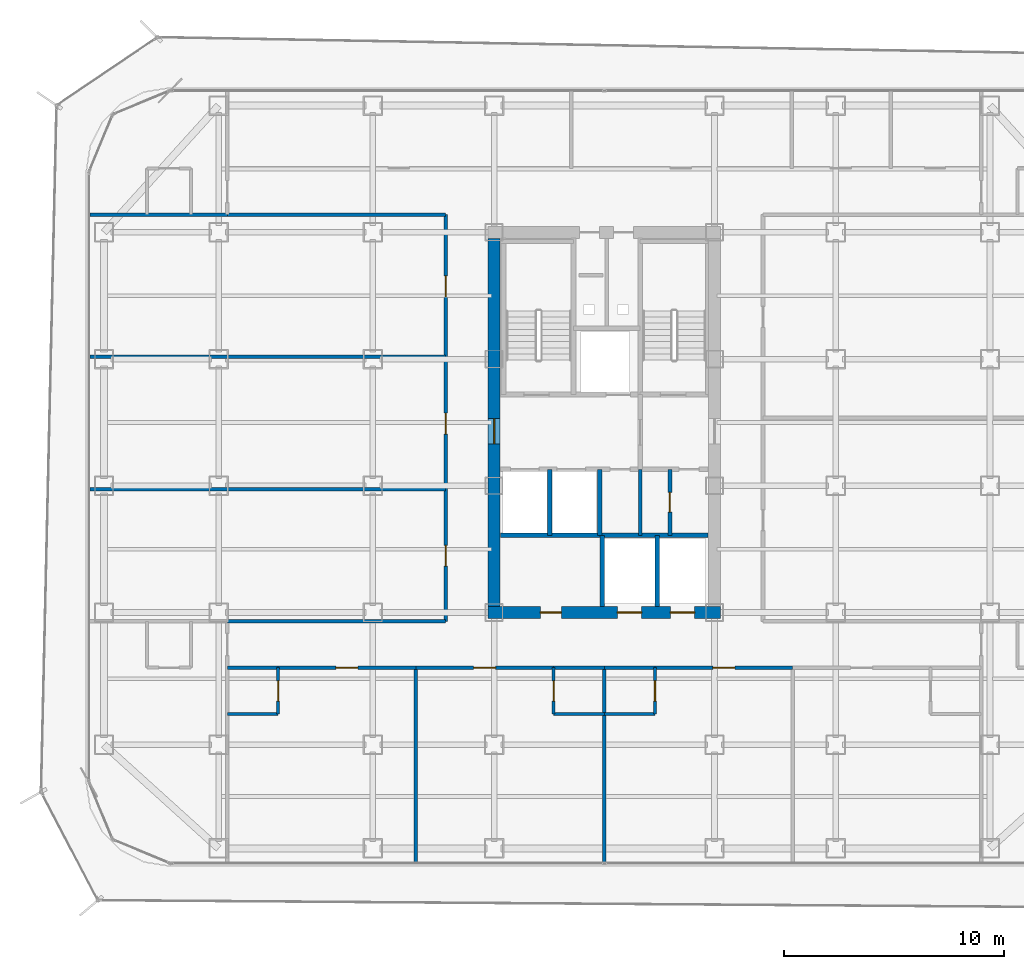
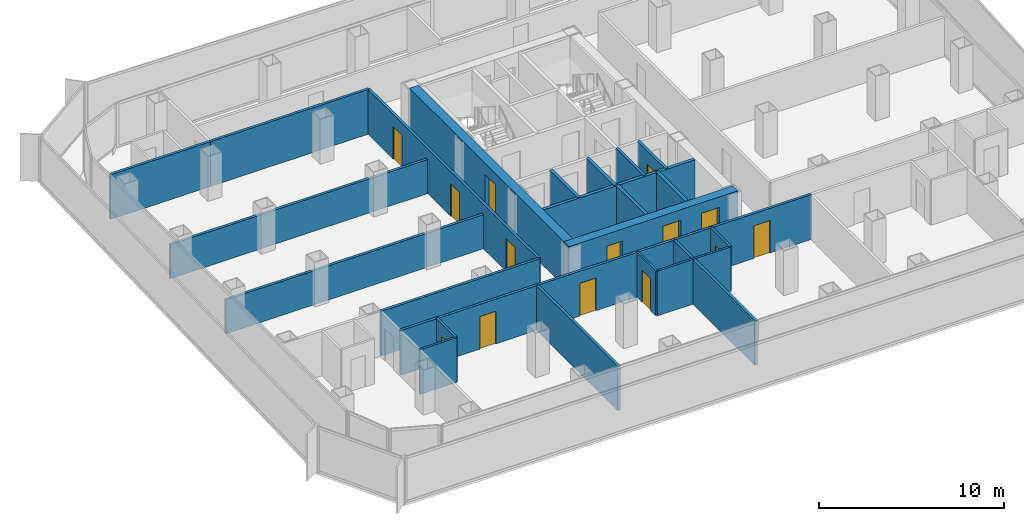
# One storey, part 16 of 21: 29 walls, 14 doors, 14 openings.
"""IFC4 building model written with IfcOpenShell, lengths in metres."""

from ifc_helpers import new_model, si_unit, direction, frame, frame_2d, origin, place, context, subcontext, project, spatial, rectangle, extrude, material, layer, layer_set, type_object, element, fill, save


model = new_model("IFC4")

# Units and contexts
model_context = context("Model", 3, precision=1e-05, world=origin(), true_north=direction((0.0, 1.0)))
body_context = subcontext(model_context, "Body", "Model", "MODEL_VIEW")
ifc_project = project(units=[si_unit("LENGTHUNIT", "METRE"), si_unit("AREAUNIT", "SQUARE_METRE"), si_unit("VOLUMEUNIT", "CUBIC_METRE"), si_unit("PLANEANGLEUNIT", "RADIAN"), si_unit("MASSUNIT", "GRAM", prefix="KILO")], contexts=[model_context])

# Site, building, storey
site_placement = place(None, origin())
site = spatial("IfcSite", under=ifc_project, at=site_placement, CompositionType="ELEMENT")
building_placement = place(site_placement, origin())
building = spatial("IfcBuilding", under=site, at=building_placement, Name="Kolveth Station Tower", CompositionType="ELEMENT")
storey_placement = place(building_placement, frame((0.0, 0.0, 105.5)))
storey = spatial("IfcBuildingStorey", under=building, at=storey_placement, Name="L28", CompositionType="ELEMENT", Elevation=105.5)

# Wall, openings, doors
ifc_material_1 = material(Name="Concrete C60/75", Category="concrete")
ifc_layer_1 = layer(ifc_material_1, 0.550048828125)
ifc_layer_set_1 = layer_set([ifc_layer_1], Name="Concrete C60/75")
wall_type_1 = type_object("IfcWallType", Name="Wall_CW-550", PredefinedType="SHEAR", material=ifc_layer_set_1)
wall_1_placement = place(storey_placement, frame((18.22509765625, 11.5, 0.0), z_axis=(0.0, 0.0, 1.0), x_axis=(1.0, 0.0, 0.0)))
wall_1 = element("IfcWall", 1, at=wall_1_placement, inside=storey, type_object=wall_type_1, Name="L28 Core RC Shear Wall S", PredefinedType="SHEAR", context=body_context, shape_type="SweptSolid", body=[
    extrude(rectangle(XDim=10.5498046875, YDim=0.550048828125, at=frame_2d((5.27490234375, 0.0))), origin(), (0.0, 0.0, 1.0), 2.949951171875),
])
opening_1_placement = place(wall_1_placement, frame((2.375, 0.0, 0.0)))
opening_1 = element("IfcOpeningElement", 2, at=opening_1_placement, cuts=wall_1, Name="Opening ID1", PredefinedType="OPENING", context=body_context, shape_type="SweptSolid", body=[
    extrude(rectangle(XDim=0.949951171875, YDim=2.14990234375, at=frame_2d((0.47509765625, 1.074951171875))), frame((0.0, 0.284912109375, 0.0), z_axis=(0.0, -1.0, 0.0), x_axis=(1.0, 0.0, 0.0)), (0.0, 0.0, 1.0), 0.570068359375),
])
opening_2_placement = place(wall_1_placement, frame((5.875, 0.0, 0.0)))
opening_2 = element("IfcOpeningElement", 3, at=opening_2_placement, cuts=wall_1, Name="Opening LD1", PredefinedType="OPENING", context=body_context, shape_type="SweptSolid", body=[
    extrude(rectangle(XDim=1.10009765625, YDim=2.25, at=frame_2d((0.550048828125, 1.125))), frame((0.0, 0.284912109375, 0.0), z_axis=(0.0, -1.0, 0.0), x_axis=(1.0, 0.0, 0.0)), (0.0, 0.0, 1.0), 0.570068359375),
])
opening_3_placement = place(wall_1_placement, frame((8.27490234375, 0.0, 0.0)))
opening_3 = element("IfcOpeningElement", 4, at=opening_3_placement, cuts=wall_1, Name="Opening LD1", PredefinedType="OPENING", context=body_context, shape_type="SweptSolid", body=[
    extrude(rectangle(XDim=1.10009765625, YDim=2.25, at=frame_2d((0.550048828125, 1.125))), frame((0.0, 0.284912109375, 0.0), z_axis=(0.0, -1.0, 0.0), x_axis=(1.0, 0.0, 0.0)), (0.0, 0.0, 1.0), 0.570068359375),
])
ifc_material_2 = material(Name="Acoustic hardwood leaf and aluminium frame", Category="wood")
door_type_1 = type_object("IfcDoorType", Name="Door_ID1", OperationType="NOTDEFINED", PredefinedType="DOOR", material=ifc_material_2)
door_1_placement = place(opening_1_placement, frame((0.949951171875, 0.0, 0.0), z_axis=(0.0, 0.0, 1.0), x_axis=(-1.0, 0.0, 0.0)))
door_1 = element("IfcDoor", 5, at=door_1_placement, inside=storey, type_object=door_type_1, Name="L28 Hotel Pantry Door", OperationType="SINGLE_SWING_LEFT", OverallHeight=2.14990234375, OverallWidth=0.949951171875, PredefinedType="DOOR", context=body_context, shape_type="SweptSolid", body=[
    extrude(rectangle(XDim=0.949951171875, YDim=2.14990234375, at=frame_2d((0.47509765625, 1.074951171875))), frame((0.0, 0.02490234375, 0.0), z_axis=(0.0, -1.0, 0.0), x_axis=(1.0, 0.0, 0.0)), (0.0, 0.0, 1.0), 0.050048828125),
])
fill(opening_1, door_1)
ifc_material_3 = material(Name="Brushed stainless steel sliding landing doors", Category="steel")
door_type_2 = type_object("IfcDoorType", Name="Door_LD1", OperationType="NOTDEFINED", PredefinedType="DOOR", material=ifc_material_3)
door_2_placement = place(opening_2_placement, frame((1.10009765625, 0.0, 0.0), z_axis=(0.0, 0.0, 1.0), x_axis=(-1.0, 0.0, 0.0)))
door_2 = element("IfcDoor", 6, at=door_2_placement, inside=storey, type_object=door_type_2, Name="L28 Lift PM1 Landing Door", OperationType="DOUBLE_DOOR_SLIDING", OverallHeight=2.25, OverallWidth=1.10009765625, PredefinedType="DOOR", context=body_context, shape_type="SweptSolid", body=[
    extrude(rectangle(XDim=1.10009765625, YDim=2.25, at=frame_2d((0.550048828125, 1.125))), frame((0.0, 0.02490234375, 0.0), z_axis=(0.0, -1.0, 0.0), x_axis=(1.0, 0.0, 0.0)), (0.0, 0.0, 1.0), 0.050048828125),
])
fill(opening_2, door_2)
door_3_placement = place(opening_3_placement, frame((1.10009765625, 0.0, 0.0), z_axis=(0.0, 0.0, 1.0), x_axis=(-1.0, 0.0, 0.0)))
door_3 = element("IfcDoor", 7, at=door_3_placement, inside=storey, type_object=door_type_2, Name="L28 Lift PH1 Landing Door", OperationType="DOUBLE_DOOR_SLIDING", OverallHeight=2.25, OverallWidth=1.10009765625, PredefinedType="DOOR", context=body_context, shape_type="SweptSolid", body=[
    extrude(rectangle(XDim=1.10009765625, YDim=2.25, at=frame_2d((0.550048828125, 1.125))), frame((0.0, 0.02490234375, 0.0), z_axis=(0.0, -1.0, 0.0), x_axis=(1.0, 0.0, 0.0)), (0.0, 0.0, 1.0), 0.050048828125),
])
fill(opening_3, door_3)

# Wall, opening, door
wall_2_placement = place(storey_placement, frame((18.5, 11.77490234375, 0.0), z_axis=(0.0, 0.0, 1.0), x_axis=(0.0, 1.0, 0.0)))
wall_2 = element("IfcWall", 8, at=wall_2_placement, inside=storey, type_object=wall_type_1, Name="L28 Core RC Shear Wall W", PredefinedType="SHEAR", context=body_context, shape_type="SweptSolid", body=[
    extrude(rectangle(XDim=16.7001953125, YDim=0.550048828125, at=frame_2d((8.35009765625, 0.0))), origin(), (0.0, 0.0, 1.0), 2.949951171875),
])
opening_4_placement = place(wall_2_placement, frame((7.375, 0.0, 0.0)))
opening_4 = element("IfcOpeningElement", 9, at=opening_4_placement, cuts=wall_2, Name="Opening FD1", PredefinedType="OPENING", context=body_context, shape_type="SweptSolid", body=[
    extrude(rectangle(XDim=1.14990234375, YDim=2.199951171875, at=frame_2d((0.574951171875, 1.10009765625))), frame((0.0, 0.284912109375, 0.0), z_axis=(0.0, -1.0, 0.0), x_axis=(1.0, 0.0, 0.0)), (0.0, 0.0, 1.0), 0.570068359375),
])
ifc_material_4 = material(Name="Fire-rated Steel S355 leaf and frame", Category="steel")
door_type_3 = type_object("IfcDoorType", Name="Door_FD1", OperationType="NOTDEFINED", PredefinedType="DOOR", material=ifc_material_4)
door_4_placement = place(opening_4_placement, frame((1.14990234375, 0.0, 0.0), z_axis=(0.0, 0.0, 1.0), x_axis=(-1.0, 0.0, 0.0)))
door_4 = element("IfcDoor", 10, at=door_4_placement, inside=storey, type_object=door_type_3, Name="L28 West Corridor to Firefighting Lobby Door", OperationType="SINGLE_SWING_LEFT", OverallHeight=2.199951171875, OverallWidth=1.14990234375, PredefinedType="DOOR", context=body_context, shape_type="SweptSolid", body=[
    extrude(rectangle(XDim=1.14990234375, YDim=2.199951171875, at=frame_2d((0.574951171875, 1.10009765625))), frame((0.0, 0.02490234375, 0.0), z_axis=(0.0, -1.0, 0.0), x_axis=(1.0, 0.0, 0.0)), (0.0, 0.0, 1.0), 0.050048828125),
])
fill(opening_4, door_4)

ifc_material_5 = material(Name="Moisture-resistant gypsum partition")
ifc_layer_2 = layer(ifc_material_5, 0.135009765625)
ifc_layer_set_2 = layer_set([ifc_layer_2], Name="Moisture-resistant gypsum partition")
wall_type_2 = type_object("IfcWallType", Name="Wall_IW-135", PredefinedType="PARTITIONING", material=ifc_layer_set_2)
wall_3_placement = place(storey_placement, frame((8.699951171875, 6.89990234375, 0.0), z_axis=(0.0, 0.0, 1.0), x_axis=(0.0, 1.0, 0.0)))
wall_3 = element("IfcWall", 11, at=wall_3_placement, inside=storey, type_object=wall_type_2, Name="L28 Partition Wall WL-L28-HS1-BV", PredefinedType="PARTITIONING", context=body_context, shape_type="SweptSolid", body=[
    extrude(rectangle(XDim=2.10009765625, YDim=0.135009765625, at=frame_2d((1.050048828125, 0.0))), origin(), (0.0, 0.0, 1.0), 2.949951171875),
])
opening_5_placement = place(wall_3_placement, frame((0.580078125, 0.0, 0.0)))
opening_5 = element("IfcOpeningElement", 12, at=opening_5_placement, cuts=wall_3, Name="Opening ID2", PredefinedType="OPENING", context=body_context, shape_type="SweptSolid", body=[
    extrude(rectangle(XDim=0.919921875, YDim=2.10009765625, at=frame_2d((0.4599609375, 1.050048828125))), frame((0.0, 0.077392578125, 0.0), z_axis=(0.0, -1.0, 0.0), x_axis=(1.0, 0.0, 0.0)), (0.0, 0.0, 1.0), 0.155029296875),
])
ifc_material_6 = material(Name="Moisture-resistant hardwood leaf", Category="wood")
door_type_4 = type_object("IfcDoorType", Name="Door_ID2", OperationType="NOTDEFINED", PredefinedType="DOOR", material=ifc_material_6)
door_5_placement = place(opening_5_placement, frame((0.919921875, 0.0, 0.0), z_axis=(0.0, 0.0, 1.0), x_axis=(-1.0, 0.0, 0.0)))
door_5 = element("IfcDoor", 13, at=door_5_placement, inside=storey, type_object=door_type_4, Name="L28 Hotel Corner Suite HS1 En-Suite Door", OperationType="SINGLE_SWING_RIGHT", OverallHeight=2.10009765625, OverallWidth=0.919921875, PredefinedType="DOOR", context=body_context, shape_type="SweptSolid", body=[
    extrude(rectangle(XDim=0.919921875, YDim=2.10009765625, at=frame_2d((0.4599609375, 1.050048828125))), frame((0.0, 0.02490234375, 0.0), z_axis=(0.0, -1.0, 0.0), x_axis=(1.0, 0.0, 0.0)), (0.0, 0.0, 1.0), 0.050048828125),
])
fill(opening_5, door_5)

# Wall
wall_4_placement = place(storey_placement, frame((6.39990234375, 6.89990234375, 0.0), z_axis=(0.0, 0.0, 1.0), x_axis=(1.0, 0.0, 0.0)))
element("IfcWall", 14, at=wall_4_placement, inside=storey, type_object=wall_type_2, Name="L28 Partition Wall WL-L28-HS1-BH", PredefinedType="PARTITIONING", context=body_context, shape_type="SweptSolid", body=[
    extrude(rectangle(XDim=2.300048828125, YDim=0.135009765625, at=frame_2d((1.14990234375, 0.0))), origin(), (0.0, 0.0, 1.0), 2.949951171875),
])

# Wall, opening, door
wall_5_placement = place(storey_placement, frame((21.199951171875, 6.89990234375, 0.0), z_axis=(0.0, 0.0, 1.0), x_axis=(0.0, 1.0, 0.0)))
wall_5 = element("IfcWall", 15, at=wall_5_placement, inside=storey, type_object=wall_type_2, Name="L28 Partition Wall WL-L28-HS2-BV", PredefinedType="PARTITIONING", context=body_context, shape_type="SweptSolid", body=[
    extrude(rectangle(XDim=2.10009765625, YDim=0.135009765625, at=frame_2d((1.050048828125, 0.0))), origin(), (0.0, 0.0, 1.0), 2.949951171875),
])
opening_6_placement = place(wall_5_placement, frame((0.580078125, 0.0, 0.0)))
opening_6 = element("IfcOpeningElement", 16, at=opening_6_placement, cuts=wall_5, Name="Opening ID2", PredefinedType="OPENING", context=body_context, shape_type="SweptSolid", body=[
    extrude(rectangle(XDim=0.919921875, YDim=2.10009765625, at=frame_2d((0.4599609375, 1.050048828125))), frame((0.0, 0.077392578125, 0.0), z_axis=(0.0, -1.0, 0.0), x_axis=(1.0, 0.0, 0.0)), (0.0, 0.0, 1.0), 0.155029296875),
])
door_6_placement = place(opening_6_placement, origin())
door_6 = element("IfcDoor", 17, at=door_6_placement, inside=storey, type_object=door_type_4, Name="L28 Hotel Corner Suite HS2 En-Suite Door", OperationType="SINGLE_SWING_RIGHT", OverallHeight=2.10009765625, OverallWidth=0.919921875, PredefinedType="DOOR", context=body_context, shape_type="SweptSolid", body=[
    extrude(rectangle(XDim=0.919921875, YDim=2.10009765625, at=frame_2d((0.4599609375, 1.050048828125))), frame((0.0, 0.02490234375, 0.0), z_axis=(0.0, -1.0, 0.0), x_axis=(1.0, 0.0, 0.0)), (0.0, 0.0, 1.0), 0.050048828125),
])
fill(opening_6, door_6)

# Wall
wall_6_placement = place(storey_placement, frame((21.199951171875, 6.89990234375, 0.0), z_axis=(0.0, 0.0, 1.0), x_axis=(1.0, 0.0, 0.0)))
element("IfcWall", 18, at=wall_6_placement, inside=storey, type_object=wall_type_2, Name="L28 Partition Wall WL-L28-HS2-BH", PredefinedType="PARTITIONING", context=body_context, shape_type="SweptSolid", body=[
    extrude(rectangle(XDim=2.300048828125, YDim=0.135009765625, at=frame_2d((1.14990234375, 0.0))), origin(), (0.0, 0.0, 1.0), 2.949951171875),
])

# Wall, opening, door
wall_7_placement = place(storey_placement, frame((25.800048828125, 6.89990234375, 0.0), z_axis=(0.0, 0.0, 1.0), x_axis=(0.0, 1.0, 0.0)))
wall_7 = element("IfcWall", 19, at=wall_7_placement, inside=storey, type_object=wall_type_2, Name="L28 Partition Wall WL-L28-HS3-BV", PredefinedType="PARTITIONING", context=body_context, shape_type="SweptSolid", body=[
    extrude(rectangle(XDim=2.10009765625, YDim=0.135009765625, at=frame_2d((1.050048828125, 0.0))), origin(), (0.0, 0.0, 1.0), 2.949951171875),
])
opening_7_placement = place(wall_7_placement, frame((0.580078125, 0.0, 0.0)))
opening_7 = element("IfcOpeningElement", 20, at=opening_7_placement, cuts=wall_7, Name="Opening ID2", PredefinedType="OPENING", context=body_context, shape_type="SweptSolid", body=[
    extrude(rectangle(XDim=0.919921875, YDim=2.10009765625, at=frame_2d((0.4599609375, 1.050048828125))), frame((0.0, 0.077392578125, 0.0), z_axis=(0.0, -1.0, 0.0), x_axis=(1.0, 0.0, 0.0)), (0.0, 0.0, 1.0), 0.155029296875),
])
door_7_placement = place(opening_7_placement, frame((0.919921875, 0.0, 0.0), z_axis=(0.0, 0.0, 1.0), x_axis=(-1.0, 0.0, 0.0)))
door_7 = element("IfcDoor", 21, at=door_7_placement, inside=storey, type_object=door_type_4, Name="L28 Hotel Corner Suite HS3 En-Suite Door", OperationType="SINGLE_SWING_RIGHT", OverallHeight=2.10009765625, OverallWidth=0.919921875, PredefinedType="DOOR", context=body_context, shape_type="SweptSolid", body=[
    extrude(rectangle(XDim=0.919921875, YDim=2.10009765625, at=frame_2d((0.4599609375, 1.050048828125))), frame((0.0, 0.02490234375, 0.0), z_axis=(0.0, -1.0, 0.0), x_axis=(1.0, 0.0, 0.0)), (0.0, 0.0, 1.0), 0.050048828125),
])
fill(opening_7, door_7)

# Walls
wall_8_placement = place(storey_placement, frame((23.5, 6.89990234375, 0.0), z_axis=(0.0, 0.0, 1.0), x_axis=(1.0, 0.0, 0.0)))
element("IfcWall", 22, at=wall_8_placement, inside=storey, type_object=wall_type_2, Name="L28 Partition Wall WL-L28-HS3-BH", PredefinedType="PARTITIONING", context=body_context, shape_type="SweptSolid", body=[
    extrude(rectangle(XDim=2.300048828125, YDim=0.135009765625, at=frame_2d((1.14990234375, 0.0))), origin(), (0.0, 0.0, 1.0), 2.949951171875),
])
ifc_material_7 = material(Name="Acoustic double-stud gypsum partition")
ifc_layer_3 = layer(ifc_material_7, 0.1650390625)
ifc_layer_set_3 = layer_set([ifc_layer_3], Name="Acoustic double-stud gypsum partition")
wall_type_3 = type_object("IfcWallType", Name="Wall_IW-165", PredefinedType="PARTITIONING", material=ifc_layer_set_3)
wall_9_placement = place(storey_placement, frame((25.1298828125, 15.0, 0.0), z_axis=(0.0, 0.0, 1.0), x_axis=(0.0, 1.0, 0.0)))
element("IfcWall", 23, at=wall_9_placement, inside=storey, type_object=wall_type_3, Name="L28 Partition Wall WL-L28-CB-V3A", PredefinedType="PARTITIONING", context=body_context, shape_type="SweptSolid", body=[
    extrude(rectangle(XDim=3.0, YDim=0.1650390625, at=frame_2d((1.5, 0.0))), origin(), (0.0, 0.0, 1.0), 2.949951171875),
])

# Wall, opening, door
wall_10_placement = place(storey_placement, frame((26.47998046875, 15.0, 0.0), z_axis=(0.0, 0.0, 1.0), x_axis=(0.0, 1.0, 0.0)))
wall_10 = element("IfcWall", 24, at=wall_10_placement, inside=storey, type_object=wall_type_3, Name="L28 Partition Wall WL-L28-CB-V3B", PredefinedType="PARTITIONING", context=body_context, shape_type="SweptSolid", body=[
    extrude(rectangle(XDim=3.0, YDim=0.1650390625, at=frame_2d((1.5, 0.0))), origin(), (0.0, 0.0, 1.0), 2.949951171875),
])
opening_8_placement = place(wall_10_placement, frame((1.050048828125, 0.0, 0.0)))
opening_8 = element("IfcOpeningElement", 25, at=opening_8_placement, cuts=wall_10, Name="Opening RD1", PredefinedType="OPENING", context=body_context, shape_type="SweptSolid", body=[
    extrude(rectangle(XDim=0.89990234375, YDim=2.050048828125, at=frame_2d((0.449951171875, 1.02490234375))), frame((0.0, 0.092529296875, 0.0), z_axis=(0.0, -1.0, 0.0), x_axis=(1.0, 0.0, 0.0)), (0.0, 0.0, 1.0), 0.18505859375),
])
ifc_material_8 = material(Name="Fire-rated Steel S355 riser access leaf", Category="steel")
door_type_5 = type_object("IfcDoorType", Name="Door_RD1", OperationType="NOTDEFINED", PredefinedType="DOOR", material=ifc_material_8)
door_8_placement = place(opening_8_placement, origin())
door_8 = element("IfcDoor", 26, at=door_8_placement, inside=storey, type_object=door_type_5, Name="L28 Core Meter Closet Door", OperationType="SINGLE_SWING_LEFT", OverallHeight=2.050048828125, OverallWidth=0.89990234375, PredefinedType="DOOR", context=body_context, shape_type="SweptSolid", body=[
    extrude(rectangle(XDim=0.89990234375, YDim=2.050048828125, at=frame_2d((0.449951171875, 1.02490234375))), frame((0.0, 0.02490234375, 0.0), z_axis=(0.0, -1.0, 0.0), x_axis=(1.0, 0.0, 0.0)), (0.0, 0.0, 1.0), 0.050048828125),
])
fill(opening_8, door_8)

# Walls
for number, where, z_axis, x_axis, name in (
    (27, (6.39990234375, 11.10009765625, 0.0), (0.0, 0.0, 1.0), (1.0, 0.0, 0.0), "L28 Partition Wall WL-L28-HSWT"),
    (28, (6.39990234375, 29.550048828125, 0.0), (0.0, 0.0, 1.0), (1.0, 0.0, 0.0), "L28 Partition Wall WL-L28-HNWB"),
):
    element("IfcWall", number, at=place(storey_placement, frame(where, z_axis=z_axis, x_axis=x_axis)), inside=storey, type_object=wall_type_3, Name=name, PredefinedType="PARTITIONING", context=body_context, shape_type="SweptSolid", body=[
        extrude(rectangle(XDim=9.900146484375, YDim=0.1650390625, at=frame_2d((4.9501953125, 0.0))), origin(), (0.0, 0.0, 1.0), 2.949951171875),
    ])

# Wall, openings, doors
wall_11_placement = place(storey_placement, frame((16.300048828125, 11.10009765625, 0.0), z_axis=(0.0, 0.0, 1.0), x_axis=(0.0, 1.0, 0.0)))
wall_11 = element("IfcWall", 29, at=wall_11_placement, inside=storey, type_object=wall_type_3, Name="L28 Partition Wall WL-L28-HW", PredefinedType="PARTITIONING", context=body_context, shape_type="SweptSolid", body=[
    extrude(rectangle(XDim=18.449951171875, YDim=0.1650390625, at=frame_2d((9.22509765625, 0.0))), origin(), (0.0, 0.0, 1.0), 2.949951171875),
])
opening_9_placement = place(wall_11_placement, frame((2.5, 0.0, 0.0)))
opening_9 = element("IfcOpeningElement", 30, at=opening_9_placement, cuts=wall_11, Name="Opening ID1", PredefinedType="OPENING", context=body_context, shape_type="SweptSolid", body=[
    extrude(rectangle(XDim=0.949951171875, YDim=2.14990234375, at=frame_2d((0.47509765625, 1.074951171875))), frame((0.0, 0.092529296875, 0.0), z_axis=(0.0, -1.0, 0.0), x_axis=(1.0, 0.0, 0.0)), (0.0, 0.0, 1.0), 0.18505859375),
])
opening_10_placement = place(wall_11_placement, frame((8.5, 0.0, 0.0)))
opening_10 = element("IfcOpeningElement", 31, at=opening_10_placement, cuts=wall_11, Name="Opening ID1", PredefinedType="OPENING", context=body_context, shape_type="SweptSolid", body=[
    extrude(rectangle(XDim=0.949951171875, YDim=2.14990234375, at=frame_2d((0.47509765625, 1.074951171875))), frame((0.0, 0.092529296875, 0.0), z_axis=(0.0, -1.0, 0.0), x_axis=(1.0, 0.0, 0.0)), (0.0, 0.0, 1.0), 0.18505859375),
])
opening_11_placement = place(wall_11_placement, frame((14.72509765625, 0.0, 0.0)))
opening_11 = element("IfcOpeningElement", 32, at=opening_11_placement, cuts=wall_11, Name="Opening ID1", PredefinedType="OPENING", context=body_context, shape_type="SweptSolid", body=[
    extrude(rectangle(XDim=0.949951171875, YDim=2.14990234375, at=frame_2d((0.47509765625, 1.074951171875))), frame((0.0, 0.092529296875, 0.0), z_axis=(0.0, -1.0, 0.0), x_axis=(1.0, 0.0, 0.0)), (0.0, 0.0, 1.0), 0.18505859375),
])
door_9_placement = place(opening_9_placement, frame((0.949951171875, 0.0, 0.0), z_axis=(0.0, 0.0, 1.0), x_axis=(-1.0, 0.0, 0.0)))
door_9 = element("IfcDoor", 33, at=door_9_placement, inside=storey, type_object=door_type_1, Name="L28 Club Study 1 Door", OperationType="SINGLE_SWING_RIGHT", OverallHeight=2.14990234375, OverallWidth=0.949951171875, PredefinedType="DOOR", context=body_context, shape_type="SweptSolid", body=[
    extrude(rectangle(XDim=0.949951171875, YDim=2.14990234375, at=frame_2d((0.47509765625, 1.074951171875))), frame((0.0, 0.02490234375, 0.0), z_axis=(0.0, -1.0, 0.0), x_axis=(1.0, 0.0, 0.0)), (0.0, 0.0, 1.0), 0.050048828125),
])
fill(opening_9, door_9)
door_10_placement = place(opening_10_placement, frame((0.949951171875, 0.0, 0.0), z_axis=(0.0, 0.0, 1.0), x_axis=(-1.0, 0.0, 0.0)))
door_10 = element("IfcDoor", 34, at=door_10_placement, inside=storey, type_object=door_type_1, Name="L28 Club Study 2 Door", OperationType="SINGLE_SWING_LEFT", OverallHeight=2.14990234375, OverallWidth=0.949951171875, PredefinedType="DOOR", context=body_context, shape_type="SweptSolid", body=[
    extrude(rectangle(XDim=0.949951171875, YDim=2.14990234375, at=frame_2d((0.47509765625, 1.074951171875))), frame((0.0, 0.02490234375, 0.0), z_axis=(0.0, -1.0, 0.0), x_axis=(1.0, 0.0, 0.0)), (0.0, 0.0, 1.0), 0.050048828125),
])
fill(opening_10, door_10)
door_11_placement = place(opening_11_placement, frame((0.949951171875, 0.0, 0.0), z_axis=(0.0, 0.0, 1.0), x_axis=(-1.0, 0.0, 0.0)))
door_11 = element("IfcDoor", 35, at=door_11_placement, inside=storey, type_object=door_type_1, Name="L28 Hotel Guest Lounge Door", OperationType="SINGLE_SWING_RIGHT", OverallHeight=2.14990234375, OverallWidth=0.949951171875, PredefinedType="DOOR", context=body_context, shape_type="SweptSolid", body=[
    extrude(rectangle(XDim=0.949951171875, YDim=2.14990234375, at=frame_2d((0.47509765625, 1.074951171875))), frame((0.0, 0.02490234375, 0.0), z_axis=(0.0, -1.0, 0.0), x_axis=(1.0, 0.0, 0.0)), (0.0, 0.0, 1.0), 0.050048828125),
])
fill(opening_11, door_11)

# Walls
wall_12_placement = place(storey_placement, frame((0.159912109375, 29.550048828125, 0.0), z_axis=(0.0, 0.0, 1.0), x_axis=(1.0, 0.0, 0.0)))
element("IfcWall", 36, at=wall_12_placement, inside=storey, type_object=wall_type_3, Name="L28 Partition Wall WL-L28-WM2", PredefinedType="PARTITIONING", context=body_context, shape_type="SweptSolid", body=[
    extrude(rectangle(XDim=6.239990234375, YDim=0.1650390625, at=frame_2d((3.1201171875, 0.0))), origin(), (0.0, 0.0, 1.0), 2.949951171875),
])
wall_13_placement = place(storey_placement, frame((6.39990234375, 9.0, 0.0), z_axis=(0.0, 0.0, 1.0), x_axis=(1.0, 0.0, 0.0)))
element("IfcWall", 37, at=wall_13_placement, inside=storey, type_object=wall_type_3, Name="L28 Partition Wall WL-L28-HS1-BCOR", PredefinedType="PARTITIONING", context=body_context, shape_type="SweptSolid", body=[
    extrude(rectangle(XDim=2.300048828125, YDim=0.1650390625, at=frame_2d((1.14990234375, 0.0))), origin(), (0.0, 0.0, 1.0), 2.949951171875),
])

# Wall, opening, door
wall_14_placement = place(storey_placement, frame((8.699951171875, 9.0, 0.0), z_axis=(0.0, 0.0, 1.0), x_axis=(1.0, 0.0, 0.0)))
wall_14 = element("IfcWall", 38, at=wall_14_placement, inside=storey, type_object=wall_type_3, Name="L28 Partition Wall WL-L28-HS1-RCOR", PredefinedType="PARTITIONING", context=body_context, shape_type="SweptSolid", body=[
    extrude(rectangle(XDim=6.25, YDim=0.1650390625, at=frame_2d((3.125, 0.0))), origin(), (0.0, 0.0, 1.0), 2.949951171875),
])
opening_12_placement = place(wall_14_placement, frame((2.625, 0.0, 0.0)))
opening_12 = element("IfcOpeningElement", 39, at=opening_12_placement, cuts=wall_14, Name="Opening FD3", PredefinedType="OPENING", context=body_context, shape_type="SweptSolid", body=[
    extrude(rectangle(XDim=1.0, YDim=2.14990234375, at=frame_2d((0.5, 1.074951171875))), frame((0.0, 0.092529296875, 0.0), z_axis=(0.0, -1.0, 0.0), x_axis=(1.0, 0.0, 0.0)), (0.0, 0.0, 1.0), 0.18505859375),
])
ifc_material_9 = material(Name="Fire-rated hardwood leaf and aluminium frame", Category="wood")
door_type_6 = type_object("IfcDoorType", Name="Door_FD3", OperationType="NOTDEFINED", PredefinedType="DOOR", material=ifc_material_9)
door_12_placement = place(opening_12_placement, frame((1.0, 0.0, 0.0), z_axis=(0.0, 0.0, 1.0), x_axis=(-1.0, 0.0, 0.0)))
door_12 = element("IfcDoor", 40, at=door_12_placement, inside=storey, type_object=door_type_6, Name="L28 Hotel Corner Suite HS1 Entrance Door", OperationType="SINGLE_SWING_LEFT", OverallHeight=2.14990234375, OverallWidth=1.0, PredefinedType="DOOR", context=body_context, shape_type="SweptSolid", body=[
    extrude(rectangle(XDim=1.0, YDim=2.14990234375, at=frame_2d((0.5, 1.074951171875))), frame((0.0, 0.02490234375, 0.0), z_axis=(0.0, -1.0, 0.0), x_axis=(1.0, 0.0, 0.0)), (0.0, 0.0, 1.0), 0.050048828125),
])
fill(opening_12, door_12)

# Walls
wall_15_placement = place(storey_placement, frame((14.949951171875, 0.159912109375, 0.0), z_axis=(0.0, 0.0, 1.0), x_axis=(0.0, 1.0, 0.0)))
element("IfcWall", 41, at=wall_15_placement, inside=storey, type_object=wall_type_3, Name="L28 Partition Wall WL-L28-HSK-1", PredefinedType="PARTITIONING", context=body_context, shape_type="SweptSolid", body=[
    extrude(rectangle(XDim=8.840087890625, YDim=0.1650390625, at=frame_2d((4.419921875, 0.0))), origin(), (0.0, 0.0, 1.0), 2.949951171875),
])
wall_16_placement = place(storey_placement, frame((21.199951171875, 9.0, 0.0), z_axis=(0.0, 0.0, 1.0), x_axis=(1.0, 0.0, 0.0)))
element("IfcWall", 42, at=wall_16_placement, inside=storey, type_object=wall_type_3, Name="L28 Partition Wall WL-L28-HS2-BCOR", PredefinedType="PARTITIONING", context=body_context, shape_type="SweptSolid", body=[
    extrude(rectangle(XDim=2.300048828125, YDim=0.1650390625, at=frame_2d((1.14990234375, 0.0))), origin(), (0.0, 0.0, 1.0), 2.949951171875),
])

# Wall, opening, door
wall_17_placement = place(storey_placement, frame((14.949951171875, 9.0, 0.0), z_axis=(0.0, 0.0, 1.0), x_axis=(1.0, 0.0, 0.0)))
wall_17 = element("IfcWall", 43, at=wall_17_placement, inside=storey, type_object=wall_type_3, Name="L28 Partition Wall WL-L28-HS2-RCOR", PredefinedType="PARTITIONING", context=body_context, shape_type="SweptSolid", body=[
    extrude(rectangle(XDim=6.25, YDim=0.1650390625, at=frame_2d((3.125, 0.0))), origin(), (0.0, 0.0, 1.0), 2.949951171875),
])
opening_13_placement = place(wall_17_placement, frame((2.625, 0.0, 0.0)))
opening_13 = element("IfcOpeningElement", 44, at=opening_13_placement, cuts=wall_17, Name="Opening FD3", PredefinedType="OPENING", context=body_context, shape_type="SweptSolid", body=[
    extrude(rectangle(XDim=1.0, YDim=2.14990234375, at=frame_2d((0.5, 1.074951171875))), frame((0.0, 0.092529296875, 0.0), z_axis=(0.0, -1.0, 0.0), x_axis=(1.0, 0.0, 0.0)), (0.0, 0.0, 1.0), 0.18505859375),
])
door_13_placement = place(opening_13_placement, frame((1.0, 0.0, 0.0), z_axis=(0.0, 0.0, 1.0), x_axis=(-1.0, 0.0, 0.0)))
door_13 = element("IfcDoor", 45, at=door_13_placement, inside=storey, type_object=door_type_6, Name="L28 Hotel Corner Suite HS2 Entrance Door", OperationType="SINGLE_SWING_LEFT", OverallHeight=2.14990234375, OverallWidth=1.0, PredefinedType="DOOR", context=body_context, shape_type="SweptSolid", body=[
    extrude(rectangle(XDim=1.0, YDim=2.14990234375, at=frame_2d((0.5, 1.074951171875))), frame((0.0, 0.02490234375, 0.0), z_axis=(0.0, -1.0, 0.0), x_axis=(1.0, 0.0, 0.0)), (0.0, 0.0, 1.0), 0.050048828125),
])
fill(opening_13, door_13)

# Walls
wall_18_placement = place(storey_placement, frame((23.5, 0.159912109375, 0.0), z_axis=(0.0, 0.0, 1.0), x_axis=(0.0, 1.0, 0.0)))
element("IfcWall", 46, at=wall_18_placement, inside=storey, type_object=wall_type_3, Name="L28 Partition Wall WL-L28-HSK-2", PredefinedType="PARTITIONING", context=body_context, shape_type="SweptSolid", body=[
    extrude(rectangle(XDim=8.840087890625, YDim=0.1650390625, at=frame_2d((4.419921875, 0.0))), origin(), (0.0, 0.0, 1.0), 2.949951171875),
])
wall_19_placement = place(storey_placement, frame((23.5, 9.0, 0.0), z_axis=(0.0, 0.0, 1.0), x_axis=(1.0, 0.0, 0.0)))
element("IfcWall", 47, at=wall_19_placement, inside=storey, type_object=wall_type_3, Name="L28 Partition Wall WL-L28-HS3-BCOR", PredefinedType="PARTITIONING", context=body_context, shape_type="SweptSolid", body=[
    extrude(rectangle(XDim=2.300048828125, YDim=0.1650390625, at=frame_2d((1.14990234375, 0.0))), origin(), (0.0, 0.0, 1.0), 2.949951171875),
])

# Wall, opening, door
wall_20_placement = place(storey_placement, frame((25.800048828125, 9.0, 0.0), z_axis=(0.0, 0.0, 1.0), x_axis=(1.0, 0.0, 0.0)))
wall_20 = element("IfcWall", 48, at=wall_20_placement, inside=storey, type_object=wall_type_3, Name="L28 Partition Wall WL-L28-HS3-RCOR", PredefinedType="PARTITIONING", context=body_context, shape_type="SweptSolid", body=[
    extrude(rectangle(XDim=6.25, YDim=0.1650390625, at=frame_2d((3.125, 0.0))), origin(), (0.0, 0.0, 1.0), 2.949951171875),
])
opening_14_placement = place(wall_20_placement, frame((2.625, 0.0, 0.0)))
opening_14 = element("IfcOpeningElement", 49, at=opening_14_placement, cuts=wall_20, Name="Opening FD3", PredefinedType="OPENING", context=body_context, shape_type="SweptSolid", body=[
    extrude(rectangle(XDim=1.0, YDim=2.14990234375, at=frame_2d((0.5, 1.074951171875))), frame((0.0, 0.092529296875, 0.0), z_axis=(0.0, -1.0, 0.0), x_axis=(1.0, 0.0, 0.0)), (0.0, 0.0, 1.0), 0.18505859375),
])
door_14_placement = place(opening_14_placement, frame((1.0, 0.0, 0.0), z_axis=(0.0, 0.0, 1.0), x_axis=(-1.0, 0.0, 0.0)))
door_14 = element("IfcDoor", 50, at=door_14_placement, inside=storey, type_object=door_type_6, Name="L28 Hotel Corner Suite HS3 Entrance Door", OperationType="SINGLE_SWING_LEFT", OverallHeight=2.14990234375, OverallWidth=1.0, PredefinedType="DOOR", context=body_context, shape_type="SweptSolid", body=[
    extrude(rectangle(XDim=1.0, YDim=2.14990234375, at=frame_2d((0.5, 1.074951171875))), frame((0.0, 0.02490234375, 0.0), z_axis=(0.0, -1.0, 0.0), x_axis=(1.0, 0.0, 0.0)), (0.0, 0.0, 1.0), 0.050048828125),
])
fill(opening_14, door_14)

# Walls
for number, where, z_axis, x_axis, name in (
    (51, (0.159912109375, 17.10009765625, 0.0), (0.0, 0.0, 1.0), (1.0, 0.0, 0.0), "L28 Partition Wall WL-L28-HMW-P1"),
    (52, (0.159912109375, 23.10009765625, 0.0), (0.0, 0.0, 1.0), (1.0, 0.0, 0.0), "L28 Partition Wall WL-L28-HMW-P2"),
):
    element("IfcWall", number, at=place(storey_placement, frame(where, z_axis=z_axis, x_axis=x_axis)), inside=storey, type_object=wall_type_3, Name=name, PredefinedType="PARTITIONING", context=body_context, shape_type="SweptSolid", body=[
        extrude(rectangle(XDim=16.14013671875, YDim=0.1650390625, at=frame_2d((8.070068359375, 0.0))), origin(), (0.0, 0.0, 1.0), 2.2470703125),
    ])
ifc_material_10 = material(Name="Acoustic fire-rated gypsum blockwork", Category="masonry")
ifc_layer_4 = layer(ifc_material_10, 0.199951171875)
ifc_layer_set_4 = layer_set([ifc_layer_4], Name="Acoustic fire-rated gypsum blockwork")
wall_type_4 = type_object("IfcWallType", Name="Wall_IW-200", PredefinedType="PARTITIONING", material=ifc_layer_set_4)
for number, where, z_axis, x_axis, name in (
    (53, (21.02001953125, 15.0, 0.0), (0.0, 0.0, 1.0), (0.0, 1.0, 0.0), "L28 Partition Wall WL-L28-FF12"),
    (54, (23.300048828125, 15.0, 0.0), (0.0, 0.0, 1.0), (0.0, 1.0, 0.0), "L28 Partition Wall WL-L28-FF2E"),
):
    element("IfcWall", number, at=place(storey_placement, frame(where, z_axis=z_axis, x_axis=x_axis)), inside=storey, type_object=wall_type_4, Name=name, PredefinedType="PARTITIONING", context=body_context, shape_type="SweptSolid", body=[
        extrude(rectangle(XDim=3.0, YDim=0.199951171875, at=frame_2d((1.5, 0.0))), origin(), (0.0, 0.0, 1.0), 2.949951171875),
    ])
wall_21_placement = place(storey_placement, frame((18.784912109375, 15.0, 0.0), z_axis=(0.0, 0.0, 1.0), x_axis=(1.0, 0.0, 0.0)))
element("IfcWall", 55, at=wall_21_placement, inside=storey, type_object=wall_type_4, Name="L28 Partition Wall WL-L28-BOH-S", PredefinedType="PARTITIONING", context=body_context, shape_type="SweptSolid", body=[
    extrude(rectangle(XDim=9.43017578125, YDim=0.199951171875, at=frame_2d((4.715087890625, 0.0))), origin(), (0.0, 0.0, 1.0), 2.949951171875),
])
for number, where, z_axis, x_axis, name in (
    (56, (23.39990234375, 11.784912109375, 0.0), (0.0, 0.0, 1.0), (0.0, 1.0, 0.0), "L28 Partition Wall WL-L28-PL2E"),
    (57, (25.89990234375, 11.784912109375, 0.0), (0.0, 0.0, 1.0), (0.0, 1.0, 0.0), "L28 Partition Wall WL-L28-PMPH"),
):
    element("IfcWall", number, at=place(storey_placement, frame(where, z_axis=z_axis, x_axis=x_axis)), inside=storey, type_object=wall_type_4, Name=name, PredefinedType="PARTITIONING", context=body_context, shape_type="SweptSolid", body=[
        extrude(rectangle(XDim=3.215087890625, YDim=0.199951171875, at=frame_2d((1.607421875, 0.0))), origin(), (0.0, 0.0, 1.0), 2.949951171875),
    ])

save(model, "model.ifc")
